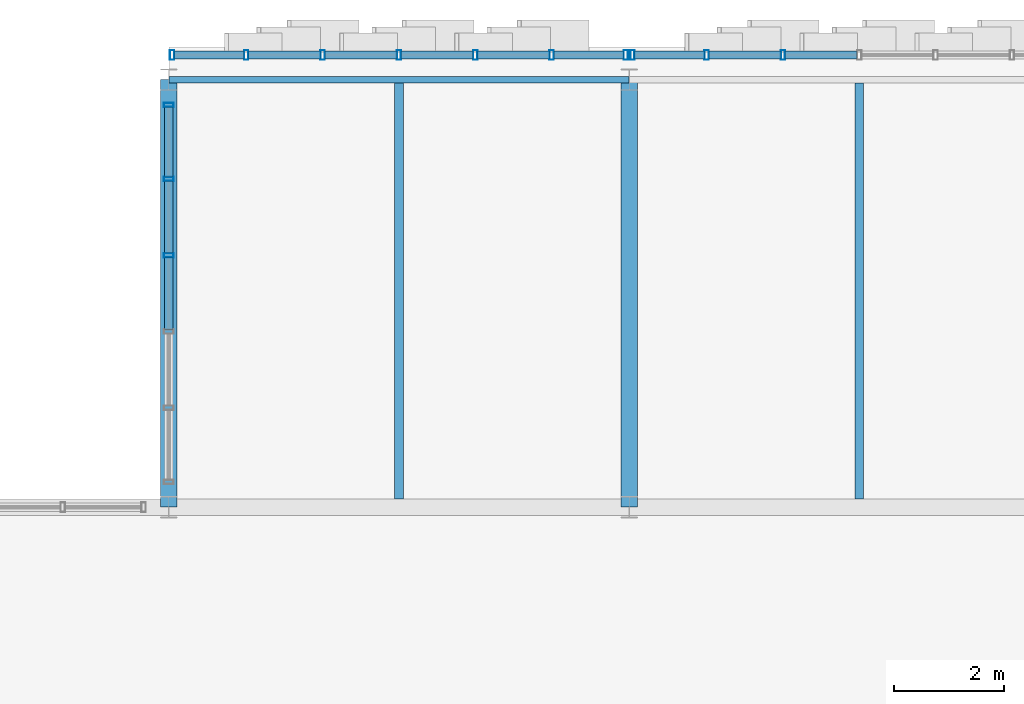
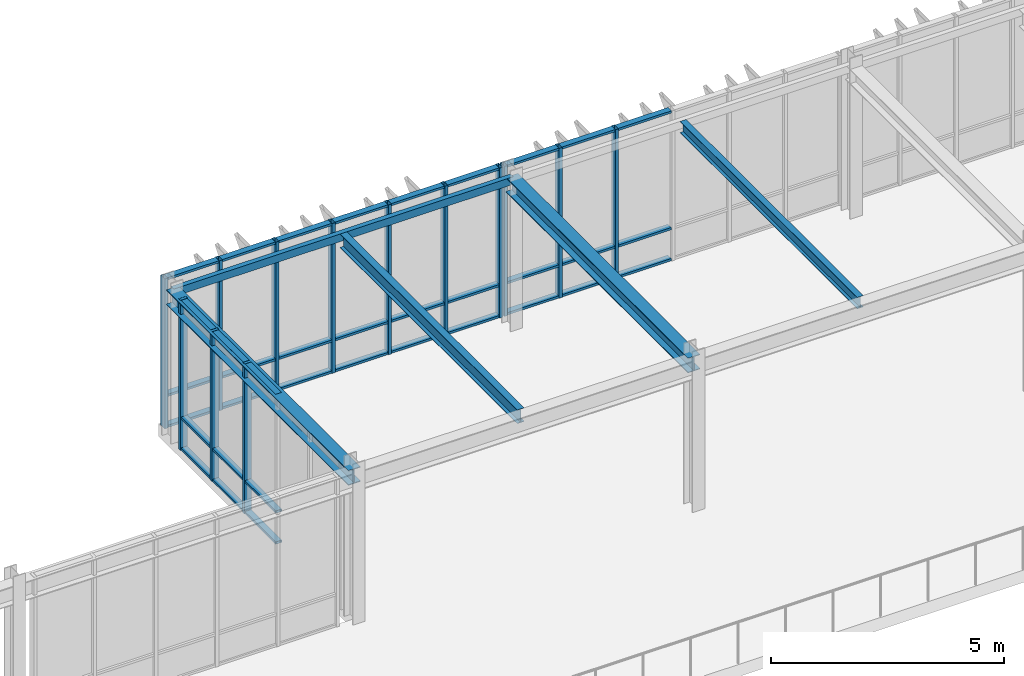
# One storey, part 51 of 127: 49 members, 5 beams, 3 elements without a shape of their own.
"""IFC4 building model written with IfcOpenShell, lengths in metres."""

from ifc_helpers import new_model, si_unit, direction, frame, origin, origin_2d, place, context, subcontext, project, spatial, hollow_rectangle, i_section, extrude, material, layer, layer_set, material_profile, profile_set, type_object, element, aggregate, save


model = new_model("IFC4")

# Units and contexts
model_context = context("Model", 3, precision=1e-05, world=origin(), true_north=direction((0.0, 1.0)))
body_context = subcontext(model_context, "Body", "Model", "MODEL_VIEW")
ifc_project = project(units=[si_unit("LENGTHUNIT", "METRE"), si_unit("AREAUNIT", "SQUARE_METRE"), si_unit("VOLUMEUNIT", "CUBIC_METRE"), si_unit("PLANEANGLEUNIT", "RADIAN"), si_unit("MASSUNIT", "GRAM", prefix="KILO")], contexts=[model_context])

# Site, building, storey
site_placement = place(None, origin())
site = spatial("IfcSite", under=ifc_project, at=site_placement, CompositionType="ELEMENT")
building_placement = place(site_placement, origin())
building = spatial("IfcBuilding", under=site, at=building_placement, Name="Zayran Congress Hotel", CompositionType="ELEMENT")
storey_placement = place(building_placement, frame((0.0, 0.0, 10.800048828125)))
storey = spatial("IfcBuildingStorey", under=building, at=storey_placement, Name="L02", CompositionType="ELEMENT", Elevation=10.800048828125)

# Beams
ifc_material_1 = material(Name="Steel S355", Category="steel")
ifc_material_profile_1 = material_profile(ifc_material_1, i_section(OverallWidth=0.300048828125, OverallDepth=0.389892578125, WebThickness=0.010986328125, FlangeThickness=0.01904296875, at=origin_2d()), Name="HEA 400")
ifc_profile_set_1 = profile_set([ifc_material_profile_1], Name="Steel S355")
beam_type_1 = type_object("IfcBeamType", Name="TP-BM-06", PredefinedType="BEAM", material=ifc_profile_set_1)
for number, where, z_axis, x_axis, name in (
    (1, (58.800048828125, 109.60009765625, 3.724853515625), (0.0, 1.0, 0.0), (-1.0, 0.0, 0.0), "BM-V1-L02-0737"),
    (2, (67.199951171875, 109.60009765625, 3.724853515625), (0.0, 1.0, 0.0), (-1.0, 0.0, 0.0), "BM-V1-L02-0740"),
):
    element("IfcBeam", number, at=place(storey_placement, frame(where, z_axis=z_axis, x_axis=x_axis)), inside=storey, type_object=beam_type_1, Name=name, PredefinedType="BEAM", context=body_context, shape_type="SweptSolid", body=[
        extrude(i_section(OverallWidth=0.300048828125, OverallDepth=0.389892578125, WebThickness=0.010986328125, FlangeThickness=0.01904296875, at=origin_2d()), origin(), (0.0, 0.0, 1.0), 7.7998046875),
    ])
ifc_material_profile_2 = material_profile(ifc_material_1, i_section(OverallWidth=0.169921875, OverallDepth=0.360107421875, WebThickness=0.008056640625, FlangeThickness=0.0126953125, at=origin_2d()), Name="IPE 360")
ifc_profile_set_2 = profile_set([ifc_material_profile_2], Name="Steel S355")
beam_type_2 = type_object("IfcBeamType", Name="TP-JS-04", PredefinedType="JOIST", material=ifc_profile_set_2)
beam_1_placement = place(storey_placement, frame((63.0, 109.75, 3.739990234375), z_axis=(0.0, 1.0, 0.0), x_axis=(-1.0, 0.0, 0.0)))
element("IfcBeam", 3, at=beam_1_placement, inside=storey, type_object=beam_type_2, Name="JST-V1-L02-0779", PredefinedType="JOIST", context=body_context, shape_type="SweptSolid", body=[
    extrude(i_section(OverallWidth=0.169921875, OverallDepth=0.360107421875, WebThickness=0.008056640625, FlangeThickness=0.0126953125, at=origin_2d()), origin(), (0.0, 0.0, 1.0), 7.590087890625),
])
ifc_material_profile_3 = material_profile(ifc_material_1, i_section(OverallWidth=0.14990234375, OverallDepth=0.300048828125, WebThickness=0.007080078125, FlangeThickness=0.0107421875, at=origin_2d()), Name="IPE 300")
ifc_profile_set_3 = profile_set([ifc_material_profile_3], Name="Steel S355")
beam_type_3 = type_object("IfcBeamType", Name="TP-JS-05", PredefinedType="JOIST", material=ifc_profile_set_3)
beam_2_placement = place(storey_placement, frame((71.39990234375, 109.75, 3.77001953125), z_axis=(0.0, 1.0, 0.0), x_axis=(-1.0, 0.0, 0.0)))
element("IfcBeam", 4, at=beam_2_placement, inside=storey, type_object=beam_type_3, Name="JST-V1-L02-0782", PredefinedType="JOIST", context=body_context, shape_type="SweptSolid", body=[
    extrude(i_section(OverallWidth=0.14990234375, OverallDepth=0.300048828125, WebThickness=0.007080078125, FlangeThickness=0.0107421875, at=origin_2d()), origin(), (0.0, 0.0, 1.0), 7.590087890625),
])
ifc_material_profile_4 = material_profile(ifc_material_1, hollow_rectangle(XDim=0.1201171875, YDim=0.199951171875, WallThickness=0.008056640625, at=origin_2d()), Name="RHS 200x120x8")
ifc_profile_set_4 = profile_set([ifc_material_profile_4], Name="Steel S355")
beam_type_4 = type_object("IfcBeamType", Name="TP-SP-02", PredefinedType="SPANDREL", material=ifc_profile_set_4)
beam_3_placement = place(storey_placement, frame((58.800048828125, 117.39990234375, 3.820068359375), z_axis=(1.0, 0.0, 0.0), x_axis=(0.0, 1.0, 0.0)))
element("IfcBeam", 5, at=beam_3_placement, inside=storey, type_object=beam_type_4, Name="BM-V1-L02-0706", PredefinedType="SPANDREL", context=body_context, shape_type="SweptSolid", body=[
    extrude(hollow_rectangle(XDim=0.1201171875, YDim=0.199951171875, WallThickness=0.008056640625, at=origin_2d()), origin(), (0.0, 0.0, 1.0), 8.39990234375),
])

# Curtain wall, members
ifc_material_2 = material(Name="Anodised aluminium and low-E insulated glass", Category="aluminium")
ifc_layer_1 = layer(ifc_material_2, 0.179931640625)
ifc_layer_set_1 = layer_set([ifc_layer_1], Name="Anodised aluminium and low-E insulated glass")
curtain_wall_type_1 = type_object("IfcCurtainWallType", Name="CW-V1N-L02-CW-21-8360-3920", PredefinedType="USERDEFINED", material=ifc_layer_set_1)
curtain_wall_1_placement = place(storey_placement, origin())
curtain_wall_1 = element("IfcCurtainWall", 6, at=curtain_wall_1_placement, inside=storey, type_object=curtain_wall_type_1, Name="CW-V1N-L02-6", ObjectType="CURTAIN WALL", PredefinedType="USERDEFINED")
ifc_material_3 = material(Name="Anodised aluminium framing", Category="aluminium")
ifc_material_profile_5 = material_profile(ifc_material_3, hollow_rectangle(XDim=0.080078125, YDim=0.179931640625, WallThickness=0.0048828125, at=origin_2d()), Name="RHS 180x80x5")
ifc_profile_set_5 = profile_set([ifc_material_profile_5], Name="Anodised aluminium framing")
member_type_1 = type_object("IfcMemberType", Name="TP-CWM-01", PredefinedType="MULLION", material=ifc_profile_set_5)
member_1_placement = place(storey_placement, frame((67.139892578125, 117.85009765625, 0.0), z_axis=(0.0, 0.0, 1.0), x_axis=(1.0, 0.0, 0.0)))
member_1 = element("IfcMember", 7, at=member_1_placement, type_object=member_type_1, Name="CW-V1N-L02-6-M00", PredefinedType="MULLION", context=body_context, shape_type="SweptSolid", body=[
    extrude(hollow_rectangle(XDim=0.080078125, YDim=0.179931640625, WallThickness=0.0048828125, at=origin_2d()), origin(), (0.0, 0.0, 1.0), 3.919921875),
])
member_2_placement = place(storey_placement, frame((65.78662109375, 117.85009765625, 0.0), z_axis=(0.0, 0.0, 1.0), x_axis=(1.0, 0.0, 0.0)))
member_2 = element("IfcMember", 8, at=member_2_placement, type_object=member_type_1, Name="CW-V1N-L02-6-M01", PredefinedType="MULLION", context=body_context, shape_type="SweptSolid", body=[
    extrude(hollow_rectangle(XDim=0.080078125, YDim=0.179931640625, WallThickness=0.0048828125, at=origin_2d()), origin(), (0.0, 0.0, 1.0), 3.919921875),
])
member_3_placement = place(storey_placement, frame((64.393310546875, 117.85009765625, 0.0), z_axis=(0.0, 0.0, 1.0), x_axis=(1.0, 0.0, 0.0)))
member_3 = element("IfcMember", 9, at=member_3_placement, type_object=member_type_1, Name="CW-V1N-L02-6-M02", PredefinedType="MULLION", context=body_context, shape_type="SweptSolid", body=[
    extrude(hollow_rectangle(XDim=0.080078125, YDim=0.179931640625, WallThickness=0.0048828125, at=origin_2d()), origin(), (0.0, 0.0, 1.0), 3.919921875),
])
member_4_placement = place(storey_placement, frame((63.0, 117.85009765625, 0.0), z_axis=(0.0, 0.0, 1.0), x_axis=(1.0, 0.0, 0.0)))
member_4 = element("IfcMember", 10, at=member_4_placement, type_object=member_type_1, Name="CW-V1N-L02-6-M03", PredefinedType="MULLION", context=body_context, shape_type="SweptSolid", body=[
    extrude(hollow_rectangle(XDim=0.080078125, YDim=0.179931640625, WallThickness=0.0048828125, at=origin_2d()), origin(), (0.0, 0.0, 1.0), 3.919921875),
])
member_5_placement = place(storey_placement, frame((61.606689453125, 117.85009765625, 0.0), z_axis=(0.0, 0.0, 1.0), x_axis=(1.0, 0.0, 0.0)))
member_5 = element("IfcMember", 11, at=member_5_placement, type_object=member_type_1, Name="CW-V1N-L02-6-M04", PredefinedType="MULLION", context=body_context, shape_type="SweptSolid", body=[
    extrude(hollow_rectangle(XDim=0.080078125, YDim=0.179931640625, WallThickness=0.0048828125, at=origin_2d()), origin(), (0.0, 0.0, 1.0), 3.919921875),
])
member_6_placement = place(storey_placement, frame((60.21337890625, 117.85009765625, 0.0), z_axis=(0.0, 0.0, 1.0), x_axis=(1.0, 0.0, 0.0)))
member_6 = element("IfcMember", 12, at=member_6_placement, type_object=member_type_1, Name="CW-V1N-L02-6-M05", PredefinedType="MULLION", context=body_context, shape_type="SweptSolid", body=[
    extrude(hollow_rectangle(XDim=0.080078125, YDim=0.179931640625, WallThickness=0.0048828125, at=origin_2d()), origin(), (0.0, 0.0, 1.0), 3.919921875),
])
member_7_placement = place(storey_placement, frame((58.860107421875, 117.85009765625, 0.0), z_axis=(0.0, 0.0, 1.0), x_axis=(1.0, 0.0, 0.0)))
member_7 = element("IfcMember", 13, at=member_7_placement, type_object=member_type_1, Name="CW-V1N-L02-6-M06", PredefinedType="MULLION", context=body_context, shape_type="SweptSolid", body=[
    extrude(hollow_rectangle(XDim=0.080078125, YDim=0.179931640625, WallThickness=0.0048828125, at=origin_2d()), origin(), (0.0, 0.0, 1.0), 3.919921875),
])

ifc_layer_2 = layer(ifc_material_2, 0.179931640625)
ifc_layer_set_2 = layer_set([ifc_layer_2], Name="Anodised aluminium and low-E insulated glass")
curtain_wall_type_2 = type_object("IfcCurtainWallType", Name="CW-V1N-L02-CW-22-8360-3920", PredefinedType="USERDEFINED", material=ifc_layer_set_2)
curtain_wall_2_placement = place(storey_placement, origin())
curtain_wall_2 = element("IfcCurtainWall", 14, at=curtain_wall_2_placement, inside=storey, type_object=curtain_wall_type_2, Name="CW-V1N-L02-7", ObjectType="CURTAIN WALL", PredefinedType="USERDEFINED")
member_8_placement = place(storey_placement, frame((70.006591796875, 117.85009765625, 0.0), z_axis=(0.0, 0.0, 1.0), x_axis=(1.0, 0.0, 0.0)))
member_8 = element("IfcMember", 15, at=member_8_placement, type_object=member_type_1, Name="CW-V1N-L02-7-M04", PredefinedType="MULLION", context=body_context, shape_type="SweptSolid", body=[
    extrude(hollow_rectangle(XDim=0.080078125, YDim=0.179931640625, WallThickness=0.0048828125, at=origin_2d()), origin(), (0.0, 0.0, 1.0), 3.919921875),
])
member_9_placement = place(storey_placement, frame((68.61328125, 117.85009765625, 0.0), z_axis=(0.0, 0.0, 1.0), x_axis=(1.0, 0.0, 0.0)))
member_9 = element("IfcMember", 16, at=member_9_placement, type_object=member_type_1, Name="CW-V1N-L02-7-M05", PredefinedType="MULLION", context=body_context, shape_type="SweptSolid", body=[
    extrude(hollow_rectangle(XDim=0.080078125, YDim=0.179931640625, WallThickness=0.0048828125, at=origin_2d()), origin(), (0.0, 0.0, 1.0), 3.919921875),
])
member_10_placement = place(storey_placement, frame((67.260009765625, 117.85009765625, 0.0), z_axis=(0.0, 0.0, 1.0), x_axis=(1.0, 0.0, 0.0)))
member_10 = element("IfcMember", 17, at=member_10_placement, type_object=member_type_1, Name="CW-V1N-L02-7-M06", PredefinedType="MULLION", context=body_context, shape_type="SweptSolid", body=[
    extrude(hollow_rectangle(XDim=0.080078125, YDim=0.179931640625, WallThickness=0.0048828125, at=origin_2d()), origin(), (0.0, 0.0, 1.0), 3.919921875),
])

ifc_layer_3 = layer(ifc_material_2, 0.179931640625)
ifc_layer_set_3 = layer_set([ifc_layer_3], Name="Anodised aluminium and low-E insulated glass")
curtain_wall_type_3 = type_object("IfcCurtainWallType", Name="CW-V1NE-L02-CW-25-6960-3920", PredefinedType="USERDEFINED", material=ifc_layer_set_3)
curtain_wall_3_placement = place(storey_placement, origin())
curtain_wall_3 = element("IfcCurtainWall", 18, at=curtain_wall_3_placement, inside=storey, type_object=curtain_wall_type_3, Name="CW-V1NE-L02", ObjectType="CURTAIN WALL", PredefinedType="USERDEFINED")
member_11_placement = place(storey_placement, frame((58.800048828125, 116.93994140625, 0.0), z_axis=(0.0, 0.0, 1.0), x_axis=(0.0, 1.0, 0.0)))
member_11 = element("IfcMember", 19, at=member_11_placement, type_object=member_type_1, Name="CW-V1NE-L02-M00", PredefinedType="MULLION", context=body_context, shape_type="SweptSolid", body=[
    extrude(hollow_rectangle(XDim=0.080078125, YDim=0.179931640625, WallThickness=0.0048828125, at=origin_2d()), origin(), (0.0, 0.0, 1.0), 3.919921875),
])
member_12_placement = place(storey_placement, frame((58.800048828125, 115.587890625, 0.0), z_axis=(0.0, 0.0, 1.0), x_axis=(0.0, 1.0, 0.0)))
member_12 = element("IfcMember", 20, at=member_12_placement, type_object=member_type_1, Name="CW-V1NE-L02-M01", PredefinedType="MULLION", context=body_context, shape_type="SweptSolid", body=[
    extrude(hollow_rectangle(XDim=0.080078125, YDim=0.179931640625, WallThickness=0.0048828125, at=origin_2d()), origin(), (0.0, 0.0, 1.0), 3.919921875),
])
member_13_placement = place(storey_placement, frame((58.800048828125, 114.196044921875, 0.0), z_axis=(0.0, 0.0, 1.0), x_axis=(0.0, 1.0, 0.0)))
member_13 = element("IfcMember", 21, at=member_13_placement, type_object=member_type_1, Name="CW-V1NE-L02-M02", PredefinedType="MULLION", context=body_context, shape_type="SweptSolid", body=[
    extrude(hollow_rectangle(XDim=0.080078125, YDim=0.179931640625, WallThickness=0.0048828125, at=origin_2d()), origin(), (0.0, 0.0, 1.0), 3.919921875),
])

# Member
ifc_material_profile_6 = material_profile(ifc_material_3, hollow_rectangle(XDim=0.06005859375, YDim=0.14990234375, WallThickness=0.00390625, at=origin_2d()), Name="RHS 150x60x4")
ifc_profile_set_6 = profile_set([ifc_material_profile_6], Name="Anodised aluminium framing")
member_type_2 = type_object("IfcMemberType", Name="TP-CWT-01", PredefinedType="USERDEFINED", material=ifc_profile_set_6)
member_14_placement = place(storey_placement, frame((67.10009765625, 117.85009765625, 0.030029296875), z_axis=(-1.0, 0.0, 0.0), x_axis=(0.0, 0.0, 1.0)))
member_14 = element("IfcMember", 22, at=member_14_placement, type_object=member_type_2, Name="CW-V1N-L02-6-T00-0", ObjectType="TRANSOM", PredefinedType="USERDEFINED", context=body_context, shape_type="SweptSolid", body=[
    extrude(hollow_rectangle(XDim=0.06005859375, YDim=0.14990234375, WallThickness=0.00390625, at=origin_2d()), origin(), (0.0, 0.0, 1.0), 1.2734375),
])

member_15_placement = place(storey_placement, frame((67.10009765625, 117.85009765625, 0.83984375), z_axis=(-1.0, 0.0, 0.0), x_axis=(0.0, 0.0, 1.0)))
member_15 = element("IfcMember", 23, at=member_15_placement, type_object=member_type_2, Name="CW-V1N-L02-6-T00-1", ObjectType="TRANSOM", PredefinedType="USERDEFINED", context=body_context, shape_type="SweptSolid", body=[
    extrude(hollow_rectangle(XDim=0.06005859375, YDim=0.14990234375, WallThickness=0.00390625, at=origin_2d()), origin(), (0.0, 0.0, 1.0), 1.2734375),
])

member_16_placement = place(storey_placement, frame((67.10009765625, 117.85009765625, 3.889892578125), z_axis=(-1.0, 0.0, 0.0), x_axis=(0.0, 0.0, 1.0)))
member_16 = element("IfcMember", 24, at=member_16_placement, type_object=member_type_2, Name="CW-V1N-L02-6-T00-2", ObjectType="TRANSOM", PredefinedType="USERDEFINED", context=body_context, shape_type="SweptSolid", body=[
    extrude(hollow_rectangle(XDim=0.06005859375, YDim=0.14990234375, WallThickness=0.00390625, at=origin_2d()), origin(), (0.0, 0.0, 1.0), 1.2734375),
])

member_17_placement = place(storey_placement, frame((65.74658203125, 117.85009765625, 0.030029296875), z_axis=(-1.0, 0.0, 0.0), x_axis=(0.0, 0.0, 1.0)))
member_17 = element("IfcMember", 25, at=member_17_placement, type_object=member_type_2, Name="CW-V1N-L02-6-T01-0", ObjectType="TRANSOM", PredefinedType="USERDEFINED", context=body_context, shape_type="SweptSolid", body=[
    extrude(hollow_rectangle(XDim=0.06005859375, YDim=0.14990234375, WallThickness=0.00390625, at=origin_2d()), origin(), (0.0, 0.0, 1.0), 1.313232421875),
])

member_18_placement = place(storey_placement, frame((65.74658203125, 117.85009765625, 0.83984375), z_axis=(-1.0, 0.0, 0.0), x_axis=(0.0, 0.0, 1.0)))
member_18 = element("IfcMember", 26, at=member_18_placement, type_object=member_type_2, Name="CW-V1N-L02-6-T01-1", ObjectType="TRANSOM", PredefinedType="USERDEFINED", context=body_context, shape_type="SweptSolid", body=[
    extrude(hollow_rectangle(XDim=0.06005859375, YDim=0.14990234375, WallThickness=0.00390625, at=origin_2d()), origin(), (0.0, 0.0, 1.0), 1.313232421875),
])

member_19_placement = place(storey_placement, frame((65.74658203125, 117.85009765625, 3.889892578125), z_axis=(-1.0, 0.0, 0.0), x_axis=(0.0, 0.0, 1.0)))
member_19 = element("IfcMember", 27, at=member_19_placement, type_object=member_type_2, Name="CW-V1N-L02-6-T01-2", ObjectType="TRANSOM", PredefinedType="USERDEFINED", context=body_context, shape_type="SweptSolid", body=[
    extrude(hollow_rectangle(XDim=0.06005859375, YDim=0.14990234375, WallThickness=0.00390625, at=origin_2d()), origin(), (0.0, 0.0, 1.0), 1.313232421875),
])

member_20_placement = place(storey_placement, frame((64.353271484375, 117.85009765625, 0.030029296875), z_axis=(-1.0, 0.0, 0.0), x_axis=(0.0, 0.0, 1.0)))
member_20 = element("IfcMember", 28, at=member_20_placement, type_object=member_type_2, Name="CW-V1N-L02-6-T02-0", ObjectType="TRANSOM", PredefinedType="USERDEFINED", context=body_context, shape_type="SweptSolid", body=[
    extrude(hollow_rectangle(XDim=0.06005859375, YDim=0.14990234375, WallThickness=0.00390625, at=origin_2d()), origin(), (0.0, 0.0, 1.0), 1.313232421875),
])

member_21_placement = place(storey_placement, frame((64.353271484375, 117.85009765625, 0.83984375), z_axis=(-1.0, 0.0, 0.0), x_axis=(0.0, 0.0, 1.0)))
member_21 = element("IfcMember", 29, at=member_21_placement, type_object=member_type_2, Name="CW-V1N-L02-6-T02-1", ObjectType="TRANSOM", PredefinedType="USERDEFINED", context=body_context, shape_type="SweptSolid", body=[
    extrude(hollow_rectangle(XDim=0.06005859375, YDim=0.14990234375, WallThickness=0.00390625, at=origin_2d()), origin(), (0.0, 0.0, 1.0), 1.313232421875),
])

member_22_placement = place(storey_placement, frame((64.353271484375, 117.85009765625, 3.889892578125), z_axis=(-1.0, 0.0, 0.0), x_axis=(0.0, 0.0, 1.0)))
member_22 = element("IfcMember", 30, at=member_22_placement, type_object=member_type_2, Name="CW-V1N-L02-6-T02-2", ObjectType="TRANSOM", PredefinedType="USERDEFINED", context=body_context, shape_type="SweptSolid", body=[
    extrude(hollow_rectangle(XDim=0.06005859375, YDim=0.14990234375, WallThickness=0.00390625, at=origin_2d()), origin(), (0.0, 0.0, 1.0), 1.313232421875),
])

member_23_placement = place(storey_placement, frame((62.9599609375, 117.85009765625, 0.030029296875), z_axis=(-1.0, 0.0, 0.0), x_axis=(0.0, 0.0, 1.0)))
member_23 = element("IfcMember", 31, at=member_23_placement, type_object=member_type_2, Name="CW-V1N-L02-6-T03-0", ObjectType="TRANSOM", PredefinedType="USERDEFINED", context=body_context, shape_type="SweptSolid", body=[
    extrude(hollow_rectangle(XDim=0.06005859375, YDim=0.14990234375, WallThickness=0.00390625, at=origin_2d()), origin(), (0.0, 0.0, 1.0), 1.313232421875),
])

member_24_placement = place(storey_placement, frame((62.9599609375, 117.85009765625, 0.83984375), z_axis=(-1.0, 0.0, 0.0), x_axis=(0.0, 0.0, 1.0)))
member_24 = element("IfcMember", 32, at=member_24_placement, type_object=member_type_2, Name="CW-V1N-L02-6-T03-1", ObjectType="TRANSOM", PredefinedType="USERDEFINED", context=body_context, shape_type="SweptSolid", body=[
    extrude(hollow_rectangle(XDim=0.06005859375, YDim=0.14990234375, WallThickness=0.00390625, at=origin_2d()), origin(), (0.0, 0.0, 1.0), 1.313232421875),
])

member_25_placement = place(storey_placement, frame((62.9599609375, 117.85009765625, 3.889892578125), z_axis=(-1.0, 0.0, 0.0), x_axis=(0.0, 0.0, 1.0)))
member_25 = element("IfcMember", 33, at=member_25_placement, type_object=member_type_2, Name="CW-V1N-L02-6-T03-2", ObjectType="TRANSOM", PredefinedType="USERDEFINED", context=body_context, shape_type="SweptSolid", body=[
    extrude(hollow_rectangle(XDim=0.06005859375, YDim=0.14990234375, WallThickness=0.00390625, at=origin_2d()), origin(), (0.0, 0.0, 1.0), 1.313232421875),
])

member_26_placement = place(storey_placement, frame((61.566650390625, 117.85009765625, 0.030029296875), z_axis=(-1.0, 0.0, 0.0), x_axis=(0.0, 0.0, 1.0)))
member_26 = element("IfcMember", 34, at=member_26_placement, type_object=member_type_2, Name="CW-V1N-L02-6-T04-0", ObjectType="TRANSOM", PredefinedType="USERDEFINED", context=body_context, shape_type="SweptSolid", body=[
    extrude(hollow_rectangle(XDim=0.06005859375, YDim=0.14990234375, WallThickness=0.00390625, at=origin_2d()), origin(), (0.0, 0.0, 1.0), 1.313232421875),
])

member_27_placement = place(storey_placement, frame((61.566650390625, 117.85009765625, 0.83984375), z_axis=(-1.0, 0.0, 0.0), x_axis=(0.0, 0.0, 1.0)))
member_27 = element("IfcMember", 35, at=member_27_placement, type_object=member_type_2, Name="CW-V1N-L02-6-T04-1", ObjectType="TRANSOM", PredefinedType="USERDEFINED", context=body_context, shape_type="SweptSolid", body=[
    extrude(hollow_rectangle(XDim=0.06005859375, YDim=0.14990234375, WallThickness=0.00390625, at=origin_2d()), origin(), (0.0, 0.0, 1.0), 1.313232421875),
])

member_28_placement = place(storey_placement, frame((61.566650390625, 117.85009765625, 3.889892578125), z_axis=(-1.0, 0.0, 0.0), x_axis=(0.0, 0.0, 1.0)))
member_28 = element("IfcMember", 36, at=member_28_placement, type_object=member_type_2, Name="CW-V1N-L02-6-T04-2", ObjectType="TRANSOM", PredefinedType="USERDEFINED", context=body_context, shape_type="SweptSolid", body=[
    extrude(hollow_rectangle(XDim=0.06005859375, YDim=0.14990234375, WallThickness=0.00390625, at=origin_2d()), origin(), (0.0, 0.0, 1.0), 1.313232421875),
])

member_29_placement = place(storey_placement, frame((60.17333984375, 117.85009765625, 0.030029296875), z_axis=(-1.0, 0.0, 0.0), x_axis=(0.0, 0.0, 1.0)))
member_29 = element("IfcMember", 37, at=member_29_placement, type_object=member_type_2, Name="CW-V1N-L02-6-T05-0", ObjectType="TRANSOM", PredefinedType="USERDEFINED", context=body_context, shape_type="SweptSolid", body=[
    extrude(hollow_rectangle(XDim=0.06005859375, YDim=0.14990234375, WallThickness=0.00390625, at=origin_2d()), origin(), (0.0, 0.0, 1.0), 1.2734375),
])

member_30_placement = place(storey_placement, frame((60.17333984375, 117.85009765625, 0.83984375), z_axis=(-1.0, 0.0, 0.0), x_axis=(0.0, 0.0, 1.0)))
member_30 = element("IfcMember", 38, at=member_30_placement, type_object=member_type_2, Name="CW-V1N-L02-6-T05-1", ObjectType="TRANSOM", PredefinedType="USERDEFINED", context=body_context, shape_type="SweptSolid", body=[
    extrude(hollow_rectangle(XDim=0.06005859375, YDim=0.14990234375, WallThickness=0.00390625, at=origin_2d()), origin(), (0.0, 0.0, 1.0), 1.2734375),
])

member_31_placement = place(storey_placement, frame((60.17333984375, 117.85009765625, 3.889892578125), z_axis=(-1.0, 0.0, 0.0), x_axis=(0.0, 0.0, 1.0)))
member_31 = element("IfcMember", 39, at=member_31_placement, type_object=member_type_2, Name="CW-V1N-L02-6-T05-2", ObjectType="TRANSOM", PredefinedType="USERDEFINED", context=body_context, shape_type="SweptSolid", body=[
    extrude(hollow_rectangle(XDim=0.06005859375, YDim=0.14990234375, WallThickness=0.00390625, at=origin_2d()), origin(), (0.0, 0.0, 1.0), 1.2734375),
])

aggregate(curtain_wall_1, [member_1, member_2, member_3, member_4, member_5, member_6, member_7, member_14, member_15, member_16, member_17, member_18, member_19, member_20, member_21, member_22, member_23, member_24, member_25, member_26, member_27, member_28, member_29, member_30, member_31])

member_32_placement = place(storey_placement, frame((71.360107421875, 117.85009765625, 0.030029296875), z_axis=(-1.0, 0.0, 0.0), x_axis=(0.0, 0.0, 1.0)))
member_32 = element("IfcMember", 40, at=member_32_placement, type_object=member_type_2, Name="CW-V1N-L02-7-T03-0", ObjectType="TRANSOM", PredefinedType="USERDEFINED", context=body_context, shape_type="SweptSolid", body=[
    extrude(hollow_rectangle(XDim=0.06005859375, YDim=0.14990234375, WallThickness=0.00390625, at=origin_2d()), origin(), (0.0, 0.0, 1.0), 1.3134765625),
])

member_33_placement = place(storey_placement, frame((71.360107421875, 117.85009765625, 0.83984375), z_axis=(-1.0, 0.0, 0.0), x_axis=(0.0, 0.0, 1.0)))
member_33 = element("IfcMember", 41, at=member_33_placement, type_object=member_type_2, Name="CW-V1N-L02-7-T03-1", ObjectType="TRANSOM", PredefinedType="USERDEFINED", context=body_context, shape_type="SweptSolid", body=[
    extrude(hollow_rectangle(XDim=0.06005859375, YDim=0.14990234375, WallThickness=0.00390625, at=origin_2d()), origin(), (0.0, 0.0, 1.0), 1.3134765625),
])

member_34_placement = place(storey_placement, frame((71.360107421875, 117.85009765625, 3.889892578125), z_axis=(-1.0, 0.0, 0.0), x_axis=(0.0, 0.0, 1.0)))
member_34 = element("IfcMember", 42, at=member_34_placement, type_object=member_type_2, Name="CW-V1N-L02-7-T03-2", ObjectType="TRANSOM", PredefinedType="USERDEFINED", context=body_context, shape_type="SweptSolid", body=[
    extrude(hollow_rectangle(XDim=0.06005859375, YDim=0.14990234375, WallThickness=0.00390625, at=origin_2d()), origin(), (0.0, 0.0, 1.0), 1.3134765625),
])

member_35_placement = place(storey_placement, frame((69.966796875, 117.85009765625, 0.030029296875), z_axis=(-1.0, 0.0, 0.0), x_axis=(0.0, 0.0, 1.0)))
member_35 = element("IfcMember", 43, at=member_35_placement, type_object=member_type_2, Name="CW-V1N-L02-7-T04-0", ObjectType="TRANSOM", PredefinedType="USERDEFINED", context=body_context, shape_type="SweptSolid", body=[
    extrude(hollow_rectangle(XDim=0.06005859375, YDim=0.14990234375, WallThickness=0.00390625, at=origin_2d()), origin(), (0.0, 0.0, 1.0), 1.3134765625),
])

member_36_placement = place(storey_placement, frame((69.966796875, 117.85009765625, 0.83984375), z_axis=(-1.0, 0.0, 0.0), x_axis=(0.0, 0.0, 1.0)))
member_36 = element("IfcMember", 44, at=member_36_placement, type_object=member_type_2, Name="CW-V1N-L02-7-T04-1", ObjectType="TRANSOM", PredefinedType="USERDEFINED", context=body_context, shape_type="SweptSolid", body=[
    extrude(hollow_rectangle(XDim=0.06005859375, YDim=0.14990234375, WallThickness=0.00390625, at=origin_2d()), origin(), (0.0, 0.0, 1.0), 1.3134765625),
])

member_37_placement = place(storey_placement, frame((69.966796875, 117.85009765625, 3.889892578125), z_axis=(-1.0, 0.0, 0.0), x_axis=(0.0, 0.0, 1.0)))
member_37 = element("IfcMember", 45, at=member_37_placement, type_object=member_type_2, Name="CW-V1N-L02-7-T04-2", ObjectType="TRANSOM", PredefinedType="USERDEFINED", context=body_context, shape_type="SweptSolid", body=[
    extrude(hollow_rectangle(XDim=0.06005859375, YDim=0.14990234375, WallThickness=0.00390625, at=origin_2d()), origin(), (0.0, 0.0, 1.0), 1.3134765625),
])

member_38_placement = place(storey_placement, frame((68.5732421875, 117.85009765625, 0.030029296875), z_axis=(-1.0, 0.0, 0.0), x_axis=(0.0, 0.0, 1.0)))
member_38 = element("IfcMember", 46, at=member_38_placement, type_object=member_type_2, Name="CW-V1N-L02-7-T05-0", ObjectType="TRANSOM", PredefinedType="USERDEFINED", context=body_context, shape_type="SweptSolid", body=[
    extrude(hollow_rectangle(XDim=0.06005859375, YDim=0.14990234375, WallThickness=0.00390625, at=origin_2d()), origin(), (0.0, 0.0, 1.0), 1.273193359375),
])

member_39_placement = place(storey_placement, frame((68.5732421875, 117.85009765625, 0.83984375), z_axis=(-1.0, 0.0, 0.0), x_axis=(0.0, 0.0, 1.0)))
member_39 = element("IfcMember", 47, at=member_39_placement, type_object=member_type_2, Name="CW-V1N-L02-7-T05-1", ObjectType="TRANSOM", PredefinedType="USERDEFINED", context=body_context, shape_type="SweptSolid", body=[
    extrude(hollow_rectangle(XDim=0.06005859375, YDim=0.14990234375, WallThickness=0.00390625, at=origin_2d()), origin(), (0.0, 0.0, 1.0), 1.273193359375),
])

member_40_placement = place(storey_placement, frame((68.5732421875, 117.85009765625, 3.889892578125), z_axis=(-1.0, 0.0, 0.0), x_axis=(0.0, 0.0, 1.0)))
member_40 = element("IfcMember", 48, at=member_40_placement, type_object=member_type_2, Name="CW-V1N-L02-7-T05-2", ObjectType="TRANSOM", PredefinedType="USERDEFINED", context=body_context, shape_type="SweptSolid", body=[
    extrude(hollow_rectangle(XDim=0.06005859375, YDim=0.14990234375, WallThickness=0.00390625, at=origin_2d()), origin(), (0.0, 0.0, 1.0), 1.273193359375),
])

aggregate(curtain_wall_2, [member_8, member_9, member_10, member_32, member_33, member_34, member_35, member_36, member_37, member_38, member_39, member_40])

member_41_placement = place(storey_placement, frame((58.800048828125, 116.89990234375, 0.030029296875), z_axis=(0.0, -1.0, 0.0), x_axis=(0.0, 0.0, 1.0)))
member_41 = element("IfcMember", 49, at=member_41_placement, type_object=member_type_2, Name="CW-V1NE-L02-T00-0", ObjectType="TRANSOM", PredefinedType="USERDEFINED", context=body_context, shape_type="SweptSolid", body=[
    extrude(hollow_rectangle(XDim=0.06005859375, YDim=0.14990234375, WallThickness=0.00390625, at=origin_2d()), origin(), (0.0, 0.0, 1.0), 1.27197265625),
])

member_42_placement = place(storey_placement, frame((58.800048828125, 116.89990234375, 0.83984375), z_axis=(0.0, -1.0, 0.0), x_axis=(0.0, 0.0, 1.0)))
member_42 = element("IfcMember", 50, at=member_42_placement, type_object=member_type_2, Name="CW-V1NE-L02-T00-1", ObjectType="TRANSOM", PredefinedType="USERDEFINED", context=body_context, shape_type="SweptSolid", body=[
    extrude(hollow_rectangle(XDim=0.06005859375, YDim=0.14990234375, WallThickness=0.00390625, at=origin_2d()), origin(), (0.0, 0.0, 1.0), 1.27197265625),
])

member_43_placement = place(storey_placement, frame((58.800048828125, 116.89990234375, 3.889892578125), z_axis=(0.0, -1.0, 0.0), x_axis=(0.0, 0.0, 1.0)))
member_43 = element("IfcMember", 51, at=member_43_placement, type_object=member_type_2, Name="CW-V1NE-L02-T00-2", ObjectType="TRANSOM", PredefinedType="USERDEFINED", context=body_context, shape_type="SweptSolid", body=[
    extrude(hollow_rectangle(XDim=0.06005859375, YDim=0.14990234375, WallThickness=0.00390625, at=origin_2d()), origin(), (0.0, 0.0, 1.0), 1.27197265625),
])

member_44_placement = place(storey_placement, frame((58.800048828125, 115.548095703125, 0.030029296875), z_axis=(0.0, -1.0, 0.0), x_axis=(0.0, 0.0, 1.0)))
member_44 = element("IfcMember", 52, at=member_44_placement, type_object=member_type_2, Name="CW-V1NE-L02-T01-0", ObjectType="TRANSOM", PredefinedType="USERDEFINED", context=body_context, shape_type="SweptSolid", body=[
    extrude(hollow_rectangle(XDim=0.06005859375, YDim=0.14990234375, WallThickness=0.00390625, at=origin_2d()), origin(), (0.0, 0.0, 1.0), 1.31201171875),
])

member_45_placement = place(storey_placement, frame((58.800048828125, 115.548095703125, 0.83984375), z_axis=(0.0, -1.0, 0.0), x_axis=(0.0, 0.0, 1.0)))
member_45 = element("IfcMember", 53, at=member_45_placement, type_object=member_type_2, Name="CW-V1NE-L02-T01-1", ObjectType="TRANSOM", PredefinedType="USERDEFINED", context=body_context, shape_type="SweptSolid", body=[
    extrude(hollow_rectangle(XDim=0.06005859375, YDim=0.14990234375, WallThickness=0.00390625, at=origin_2d()), origin(), (0.0, 0.0, 1.0), 1.31201171875),
])

member_46_placement = place(storey_placement, frame((58.800048828125, 115.548095703125, 3.889892578125), z_axis=(0.0, -1.0, 0.0), x_axis=(0.0, 0.0, 1.0)))
member_46 = element("IfcMember", 54, at=member_46_placement, type_object=member_type_2, Name="CW-V1NE-L02-T01-2", ObjectType="TRANSOM", PredefinedType="USERDEFINED", context=body_context, shape_type="SweptSolid", body=[
    extrude(hollow_rectangle(XDim=0.06005859375, YDim=0.14990234375, WallThickness=0.00390625, at=origin_2d()), origin(), (0.0, 0.0, 1.0), 1.31201171875),
])

member_47_placement = place(storey_placement, frame((58.800048828125, 114.156005859375, 0.030029296875), z_axis=(0.0, -1.0, 0.0), x_axis=(0.0, 0.0, 1.0)))
member_47 = element("IfcMember", 55, at=member_47_placement, type_object=member_type_2, Name="CW-V1NE-L02-T02-0", ObjectType="TRANSOM", PredefinedType="USERDEFINED", context=body_context, shape_type="SweptSolid", body=[
    extrude(hollow_rectangle(XDim=0.06005859375, YDim=0.14990234375, WallThickness=0.00390625, at=origin_2d()), origin(), (0.0, 0.0, 1.0), 1.31201171875),
])

member_48_placement = place(storey_placement, frame((58.800048828125, 114.156005859375, 0.83984375), z_axis=(0.0, -1.0, 0.0), x_axis=(0.0, 0.0, 1.0)))
member_48 = element("IfcMember", 56, at=member_48_placement, type_object=member_type_2, Name="CW-V1NE-L02-T02-1", ObjectType="TRANSOM", PredefinedType="USERDEFINED", context=body_context, shape_type="SweptSolid", body=[
    extrude(hollow_rectangle(XDim=0.06005859375, YDim=0.14990234375, WallThickness=0.00390625, at=origin_2d()), origin(), (0.0, 0.0, 1.0), 1.31201171875),
])

member_49_placement = place(storey_placement, frame((58.800048828125, 114.156005859375, 3.889892578125), z_axis=(0.0, -1.0, 0.0), x_axis=(0.0, 0.0, 1.0)))
member_49 = element("IfcMember", 57, at=member_49_placement, type_object=member_type_2, Name="CW-V1NE-L02-T02-2", ObjectType="TRANSOM", PredefinedType="USERDEFINED", context=body_context, shape_type="SweptSolid", body=[
    extrude(hollow_rectangle(XDim=0.06005859375, YDim=0.14990234375, WallThickness=0.00390625, at=origin_2d()), origin(), (0.0, 0.0, 1.0), 1.31201171875),
])

aggregate(curtain_wall_3, [member_11, member_12, member_13, member_41, member_42, member_43, member_44, member_45, member_46, member_47, member_48, member_49])

save(model, "model.ifc")
